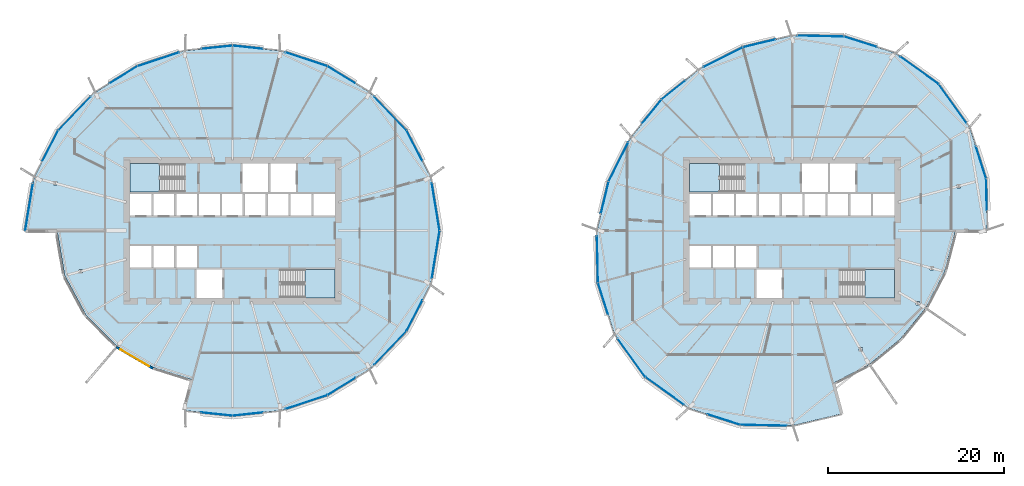
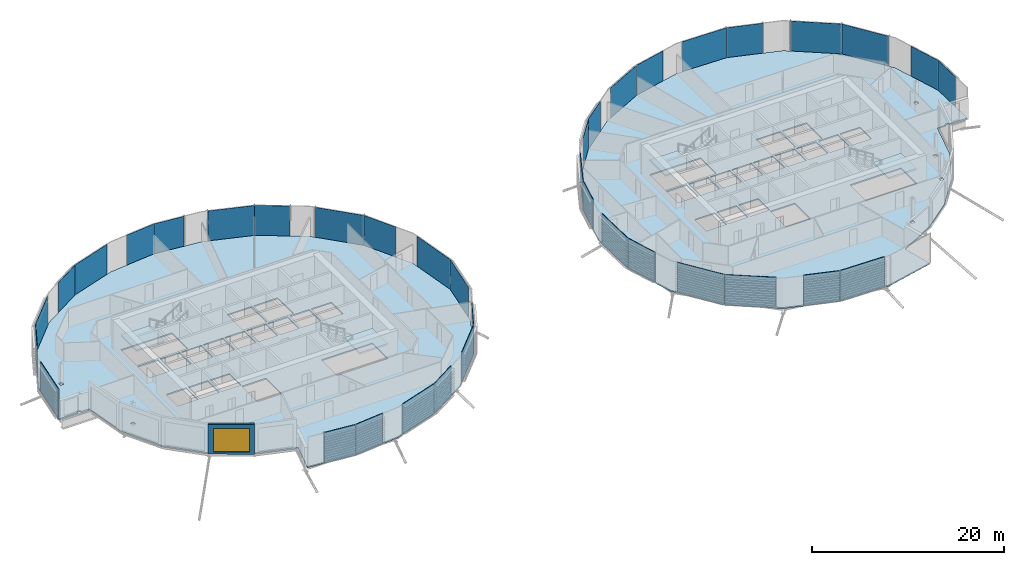
# One storey, part 19 of 39: 37 plates, 6 slabs, 1 wall, 1 window, 1 opening, 6 elements without a shape of their own.
"""IFC4 building model written with IfcOpenShell, lengths in metres."""

from ifc_helpers import new_model, si_unit, direction, frame, frame_2d, origin, origin_2d, place, context, subcontext, project, spatial, polyline, rectangle, outline, extrude, material, layer, layer_set, type_object, element, fill, aggregate, save


model = new_model("IFC4")

# Units and contexts
model_context = context("Model", 3, precision=1e-05, world=origin(), true_north=direction((0.0, 1.0)))
body_context = subcontext(model_context, "Body", "Model", "MODEL_VIEW")
ifc_project = project(units=[si_unit("LENGTHUNIT", "METRE"), si_unit("AREAUNIT", "SQUARE_METRE"), si_unit("VOLUMEUNIT", "CUBIC_METRE"), si_unit("PLANEANGLEUNIT", "RADIAN"), si_unit("MASSUNIT", "GRAM", prefix="KILO")], contexts=[model_context])

# Site, building, storey
site_placement = place(None, origin())
site = spatial("IfcSite", under=ifc_project, at=site_placement, CompositionType="ELEMENT")
building_placement = place(site_placement, origin())
building = spatial("IfcBuilding", under=site, at=building_placement, Name="Rimbun Link Towers", CompositionType="ELEMENT")
storey_placement = place(building_placement, frame((0.0, 0.0, 96.800048828125)))
storey = spatial("IfcBuildingStorey", under=building, at=storey_placement, Name="L23", CompositionType="ELEMENT", Elevation=96.800048828125)

# Slabs
ifc_material_1 = material(Name="Concrete C35/45", Category="concrete")
ifc_layer_1 = layer(ifc_material_1, 0.159912109375)
ifc_layer_set_1 = layer_set([ifc_layer_1], Name="COMPOSITE FLOOR 160")
slab_type_1 = type_object("IfcSlabType", Name="COMPOSITE FLOOR 160", PredefinedType="FLOOR", material=ifc_layer_set_1)
slab_1_placement = place(storey_placement, frame((0.0, 0.0, -0.16015625)))
element("IfcSlab", 1, at=slab_1_placement, inside=storey, type_object=slab_type_1, Name="Floor slab T1 L23", PredefinedType="FLOOR", context=body_context, shape_type="SweptSolid", body=[
    extrude(outline(polyline([(-55.244384765625, 0.0), (-54.252685546875, 6.029541015625), (-51.47900390625, 11.390380859375), (-47.397705078125, 15.647705078125), (-42.514892578125, 18.6455078125), (-37.216552734375, 20.4013671875), (-31.75, 20.97705078125), (-26.283447265625, 20.4013671875), (-20.985107421875, 18.6455078125), (-16.102294921875, 15.647705078125), (-12.02099609375, 11.390380859375), (-9.247314453125, 6.029541015625), (-8.255615234375, 0.0), (-9.247314453125, -6.029541015625), (-12.02099609375, -11.390380859375), (-16.102294921875, -15.647705078125), (-20.985107421875, -18.6455078125), (-26.283447265625, -20.4013671875), (-31.75, -20.97705078125), (-37.216552734375, -20.4013671875), (-36.284912109375, -16.924072265625), (-40.715087890625, -15.52783203125), (-44.85205078125, -13.10205078125), (-48.361083984375, -9.590576171875), (-50.775390625, -5.097900390625), (-51.644287109375, 0.0), (-52.5751953125, 0.0), (-52.5751953125, 0.19677734375), (-52.974365234375, 0.19677734375), (-52.974365234375, 0.0), (-55.244384765625, 0.0)]), holes=[polyline([(-48.775390625, -4.812255859375), (-48.775390625, -4.418701171875), (-49.17431640625, -4.418701171875), (-49.17431640625, -4.812255859375), (-48.775390625, -4.812255859375)]), polyline([(-40.95556640625, -4.14990234375), (-40.95556640625, -1.75), (-43.375, -1.75), (-43.375, -4.14990234375), (-40.95556640625, -4.14990234375)]), polyline([(-38.361083984375, -4.14990234375), (-38.361083984375, -1.75), (-40.70556640625, -1.75), (-40.70556640625, -4.14990234375), (-38.361083984375, -4.14990234375)]), polyline([(-38.111083984375, -4.14990234375), (-35.7666015625, -4.14990234375), (-35.7666015625, -1.75), (-38.111083984375, -1.75), (-38.111083984375, -4.14990234375)]), polyline([(-40.95556640625, 1.75), (-40.95556640625, 4.14990234375), (-43.375, 4.14990234375), (-43.375, 1.75), (-40.95556640625, 1.75)]), polyline([(-38.361083984375, 1.75), (-38.361083984375, 4.14990234375), (-40.70556640625, 4.14990234375), (-40.70556640625, 1.75), (-38.361083984375, 1.75)]), polyline([(-35.7666015625, 1.75), (-35.7666015625, 4.14990234375), (-38.111083984375, 4.14990234375), (-38.111083984375, 1.75), (-35.7666015625, 1.75)]), polyline([(-52.065185546875, 5.193115234375), (-51.666259765625, 5.193115234375), (-51.666259765625, 5.5869140625), (-52.065185546875, 5.5869140625), (-52.065185546875, 5.193115234375)]), polyline([(-43.375, 4.39990234375), (-37.260009765625, 4.39990234375), (-37.260009765625, 7.625), (-43.375, 7.625), (-43.375, 4.39990234375)]), polyline([(-32.89990234375, -7.625), (-32.89990234375, -4.39990234375), (-35.800048828125, -4.39990234375), (-35.800048828125, -7.625), (-32.89990234375, -7.625)]), polyline([(-20.125, -7.625), (-20.125, -4.39990234375), (-26.239990234375, -4.39990234375), (-26.239990234375, -7.625), (-20.125, -7.625)]), polyline([(-33.172119140625, 1.75), (-33.172119140625, 4.14990234375), (-35.5166015625, 4.14990234375), (-35.5166015625, 1.75), (-33.172119140625, 1.75)]), polyline([(-32.922119140625, 1.75), (-30.577880859375, 1.75), (-30.577880859375, 4.14990234375), (-32.922119140625, 4.14990234375), (-32.922119140625, 1.75)]), polyline([(-30.327880859375, 1.75), (-27.9833984375, 1.75), (-27.9833984375, 4.14990234375), (-30.327880859375, 4.14990234375), (-30.327880859375, 1.75)]), polyline([(-25.388916015625, 1.75), (-25.388916015625, 4.14990234375), (-27.7333984375, 4.14990234375), (-27.7333984375, 1.75), (-25.388916015625, 1.75)]), polyline([(-22.79443359375, 1.75), (-22.79443359375, 4.14990234375), (-25.138916015625, 4.14990234375), (-25.138916015625, 1.75), (-22.79443359375, 1.75)]), polyline([(-20.125, 1.75), (-20.125, 4.14990234375), (-22.54443359375, 4.14990234375), (-22.54443359375, 1.75), (-20.125, 1.75)]), polyline([(-30.60009765625, 4.39990234375), (-27.699951171875, 4.39990234375), (-27.699951171875, 7.625), (-30.60009765625, 7.625), (-30.60009765625, 4.39990234375)]), polyline([(-27.449951171875, 4.39990234375), (-24.550048828125, 4.39990234375), (-24.550048828125, 7.625), (-27.449951171875, 7.625), (-27.449951171875, 4.39990234375)])]), origin(), (0.0, 0.0, 1.0), 0.16015625),
])
slab_2_placement = place(storey_placement, frame((0.0, 0.0, -0.16015625)))
element("IfcSlab", 2, at=slab_2_placement, inside=storey, type_object=slab_type_1, Name="Floor slab T2 L23", PredefinedType="FLOOR", context=body_context, shape_type="SweptSolid", body=[
    extrude(outline(polyline([(50.279052734375, 0.0), (49.069091796875, -4.640625), (46.923583984375, -8.760498046875), (44.037353515625, -12.287353515625), (40.510498046875, -15.173583984375), (36.390625, -17.319091796875), (37.322509765625, -20.79638671875), (31.75, -22.12890625), (25.853759765625, -22.0048828125), (20.101806640625, -20.175537109375), (15.136962890625, -16.613037109375), (11.574462890625, -11.648193359375), (9.7451171875, -5.896240234375), (9.62109375, 0.0), (10.95361328125, 5.572509765625), (13.458740234375, 10.560546875), (16.9169921875, 14.8330078125), (21.189453125, 18.291259765625), (26.177490234375, 20.79638671875), (31.75, 22.12890625), (37.646240234375, 22.0048828125), (43.398193359375, 20.175537109375), (48.363037109375, 16.613037109375), (51.925537109375, 11.648193359375), (53.7548828125, 5.896240234375), (53.87890625, 0.0), (51.707275390625, 0.0), (51.707275390625, 0.19677734375), (51.308349609375, 0.19677734375), (51.308349609375, 0.0), (50.279052734375, 0.0)]), holes=[polyline([(30.60009765625, -7.625), (30.60009765625, -4.39990234375), (27.699951171875, -4.39990234375), (27.699951171875, -7.625), (30.60009765625, -7.625)]), polyline([(22.54443359375, -4.14990234375), (22.54443359375, -1.75), (20.125, -1.75), (20.125, -4.14990234375), (22.54443359375, -4.14990234375)]), polyline([(25.138916015625, -4.14990234375), (25.138916015625, -1.75), (22.79443359375, -1.75), (22.79443359375, -4.14990234375), (25.138916015625, -4.14990234375)]), polyline([(25.388916015625, -4.14990234375), (27.7333984375, -4.14990234375), (27.7333984375, -1.75), (25.388916015625, -1.75), (25.388916015625, -4.14990234375)]), polyline([(20.125, 1.75), (22.54443359375, 1.75), (22.54443359375, 4.14990234375), (20.125, 4.14990234375), (20.125, 1.75)]), polyline([(25.138916015625, 1.75), (25.138916015625, 4.14990234375), (22.79443359375, 4.14990234375), (22.79443359375, 1.75), (25.138916015625, 1.75)]), polyline([(25.388916015625, 1.75), (27.7333984375, 1.75), (27.7333984375, 4.14990234375), (25.388916015625, 4.14990234375), (25.388916015625, 1.75)]), polyline([(27.9833984375, 1.75), (30.327880859375, 1.75), (30.327880859375, 4.14990234375), (27.9833984375, 4.14990234375), (27.9833984375, 1.75)]), polyline([(32.922119140625, 1.75), (32.922119140625, 4.14990234375), (30.577880859375, 4.14990234375), (30.577880859375, 1.75), (32.922119140625, 1.75)]), polyline([(33.172119140625, 1.75), (35.5166015625, 1.75), (35.5166015625, 4.14990234375), (33.172119140625, 4.14990234375), (33.172119140625, 1.75)]), polyline([(20.125, 4.39990234375), (26.239990234375, 4.39990234375), (26.239990234375, 7.625), (20.125, 7.625), (20.125, 4.39990234375)]), polyline([(39.717041015625, -13.650390625), (39.717041015625, -13.2568359375), (39.318115234375, -13.2568359375), (39.318115234375, -13.650390625), (39.717041015625, -13.650390625)]), polyline([(46.200439453125, -8.424560546875), (46.200439453125, -8.031005859375), (45.801513671875, -8.031005859375), (45.801513671875, -8.424560546875), (46.200439453125, -8.424560546875)]), polyline([(43.375, -7.625), (43.375, -4.39990234375), (37.260009765625, -4.39990234375), (37.260009765625, -7.625), (43.375, -7.625)]), polyline([(47.410400390625, -4.446533203125), (47.8095703125, -4.446533203125), (47.8095703125, -4.052978515625), (47.410400390625, -4.052978515625), (47.410400390625, -4.446533203125)]), polyline([(38.111083984375, 1.75), (38.111083984375, 4.14990234375), (35.7666015625, 4.14990234375), (35.7666015625, 1.75), (38.111083984375, 1.75)]), polyline([(38.361083984375, 1.75), (40.70556640625, 1.75), (40.70556640625, 4.14990234375), (38.361083984375, 4.14990234375), (38.361083984375, 1.75)]), polyline([(40.95556640625, 1.75), (43.375, 1.75), (43.375, 4.14990234375), (40.95556640625, 4.14990234375), (40.95556640625, 1.75)]), polyline([(50.85302734375, 4.868408203125), (50.85302734375, 5.261962890625), (50.4541015625, 5.261962890625), (50.4541015625, 4.868408203125), (50.85302734375, 4.868408203125)]), polyline([(32.89990234375, 4.39990234375), (35.800048828125, 4.39990234375), (35.800048828125, 7.625), (32.89990234375, 7.625), (32.89990234375, 4.39990234375)]), polyline([(36.050048828125, 4.39990234375), (38.949951171875, 4.39990234375), (38.949951171875, 7.625), (36.050048828125, 7.625), (36.050048828125, 4.39990234375)])]), origin(), (0.0, 0.0, 1.0), 0.16015625),
])

# Curtain wall, plates
ifc_material_2 = material(Name="Aluminium 6063-T6 and low-iron glass", Category="aluminium")
curtain_wall_type = type_object("IfcCurtainWallType", Name="CW1-Z2 unitised vision wall (zone 2)", PredefinedType="NOTDEFINED", material=ifc_material_2)
curtain_wall_1_placement = place(storey_placement, origin())
curtain_wall_1 = element("IfcCurtainWall", 3, at=curtain_wall_1_placement, inside=storey, type_object=curtain_wall_type, Name="CW1 L23 T1", PredefinedType="NOTDEFINED")
ifc_material_3 = material(Name="Low-iron glass, laminated low-e unit", Category="glass")
ifc_layer_2 = layer(ifc_material_3, 0.028076171875)
ifc_layer_set_2 = layer_set([ifc_layer_2], Name="CW1 panel Low-iron glass 28")
plate_type = type_object("IfcPlateType", Name="CW1 panel Low-iron glass 28", PredefinedType="CURTAIN_PANEL", material=ifc_layer_set_2)
plate_1_placement = place(storey_placement, frame((-8.684814453125, 2.6962890625, 0.0), z_axis=(0.0, 0.0, 1.0), x_axis=(0.162259642251, -0.986748097792, 0.0)))
plate_1 = element("IfcPlate", 4, at=plate_1_placement, type_object=plate_type, Name="CW1 panel", PredefinedType="CURTAIN_PANEL", context=body_context, shape_type="SweptSolid", body=[
    extrude(rectangle(XDim=5.420654296875, YDim=0.028076171875, at=origin_2d()), origin(), (0.0, 0.0, 1.0), 3.800048828125),
])
plate_2_placement = place(storey_placement, frame((-11.104248046875, 9.64892578125, 0.0), z_axis=(0.0, 0.0, 1.0), x_axis=(0.45955632125, -0.888148629228, 0.0)))
plate_2 = element("IfcPlate", 5, at=plate_2_placement, type_object=plate_type, Name="CW1 panel", PredefinedType="CURTAIN_PANEL", context=body_context, shape_type="SweptSolid", body=[
    extrude(rectangle(XDim=3.89599609375, YDim=0.028076171875, at=origin_2d()), origin(), (0.0, 0.0, 1.0), 3.800048828125),
])
plate_3_placement = place(storey_placement, frame((-13.843994140625, 13.312255859375, 0.0), z_axis=(0.0, 0.0, 1.0), x_axis=(0.692044930546, -0.721854427226, 0.0)))
plate_3 = element("IfcPlate", 6, at=plate_3_placement, type_object=plate_type, Name="CW1 panel", PredefinedType="CURTAIN_PANEL", context=body_context, shape_type="SweptSolid", body=[
    extrude(rectangle(XDim=5.257568359375, YDim=0.028076171875, at=origin_2d()), origin(), (0.0, 0.0, 1.0), 3.800048828125),
])
plate_4_placement = place(storey_placement, frame((-19.388671875, 17.681640625, 0.0), z_axis=(0.0, 0.0, 1.0), x_axis=(0.852185835011, -0.523239240316, 0.0)))
plate_4 = element("IfcPlate", 7, at=plate_4_placement, type_object=plate_type, Name="CW1 panel", PredefinedType="CURTAIN_PANEL", context=body_context, shape_type="SweptSolid", body=[
    extrude(rectangle(XDim=3.689453125, YDim=0.028076171875, at=origin_2d()), origin(), (0.0, 0.0, 1.0), 3.800048828125),
])
plate_5_placement = place(storey_placement, frame((-23.344970703125, 19.4423828125, 0.0), z_axis=(0.0, 0.0, 1.0), x_axis=(0.949238989505, -0.314555783293, 0.0)))
plate_5 = element("IfcPlate", 8, at=plate_5_placement, type_object=plate_type, Name="CW1 panel", PredefinedType="CURTAIN_PANEL", context=body_context, shape_type="SweptSolid", body=[
    extrude(rectangle(XDim=4.94189453125, YDim=0.028076171875, at=origin_2d()), origin(), (0.0, 0.0, 1.0), 3.800048828125),
])
plate_6_placement = place(storey_placement, frame((-30.009765625, 20.807861328125, 0.0), z_axis=(0.0, 0.0, 1.0), x_axis=(0.994500168315, -0.104734976112, 0.0)))
plate_6 = element("IfcPlate", 9, at=plate_6_placement, type_object=plate_type, Name="CW1 panel", PredefinedType="CURTAIN_PANEL", context=body_context, shape_type="SweptSolid", body=[
    extrude(rectangle(XDim=3.456787109375, YDim=0.028076171875, at=origin_2d()), origin(), (0.0, 0.0, 1.0), 3.800048828125),
])
plate_7_placement = place(storey_placement, frame((-33.490234375, 20.807861328125, 0.0), z_axis=(0.0, 0.0, 1.0), x_axis=(0.994500168315, 0.104734976112, 0.0)))
plate_7 = element("IfcPlate", 10, at=plate_7_placement, type_object=plate_type, Name="CW1 panel", PredefinedType="CURTAIN_PANEL", context=body_context, shape_type="SweptSolid", body=[
    extrude(rectangle(XDim=3.456787109375, YDim=0.028076171875, at=origin_2d()), origin(), (0.0, 0.0, 1.0), 3.800048828125),
])
plate_8_placement = place(storey_placement, frame((-40.155029296875, 19.4423828125, 0.0), z_axis=(0.0, 0.0, 1.0), x_axis=(0.949238989505, 0.314555783293, 0.0)))
plate_8 = element("IfcPlate", 11, at=plate_8_placement, type_object=plate_type, Name="CW1 panel", PredefinedType="CURTAIN_PANEL", context=body_context, shape_type="SweptSolid", body=[
    extrude(rectangle(XDim=4.94189453125, YDim=0.028076171875, at=origin_2d()), origin(), (0.0, 0.0, 1.0), 3.800048828125),
])
plate_9_placement = place(storey_placement, frame((-44.111328125, 17.681640625, 0.0), z_axis=(0.0, 0.0, 1.0), x_axis=(0.852185835011, 0.523239240316, 0.0)))
plate_9 = element("IfcPlate", 12, at=plate_9_placement, type_object=plate_type, Name="CW1 panel", PredefinedType="CURTAIN_PANEL", context=body_context, shape_type="SweptSolid", body=[
    extrude(rectangle(XDim=3.689453125, YDim=0.028076171875, at=origin_2d()), origin(), (0.0, 0.0, 1.0), 3.800048828125),
])
plate_10_placement = place(storey_placement, frame((-49.656005859375, 13.312255859375, 0.0), z_axis=(0.0, 0.0, 1.0), x_axis=(0.692044930546, 0.721854427226, 0.0)))
plate_10 = element("IfcPlate", 13, at=plate_10_placement, type_object=plate_type, Name="CW1 panel", PredefinedType="CURTAIN_PANEL", context=body_context, shape_type="SweptSolid", body=[
    extrude(rectangle(XDim=5.257568359375, YDim=0.028076171875, at=origin_2d()), origin(), (0.0, 0.0, 1.0), 3.800048828125),
])
plate_11_placement = place(storey_placement, frame((-52.4072265625, 9.626953125, 0.0), z_axis=(0.0, 0.0, 1.0), x_axis=(0.45955632125, 0.888148629228, 0.0)))
plate_11 = element("IfcPlate", 14, at=plate_11_placement, type_object=plate_type, Name="CW1 panel", PredefinedType="CURTAIN_PANEL", context=body_context, shape_type="SweptSolid", body=[
    extrude(rectangle(XDim=3.946044921875, YDim=0.028076171875, at=origin_2d()), origin(), (0.0, 0.0, 1.0), 3.800048828125),
])
plate_12_placement = place(storey_placement, frame((-54.819091796875, 2.671630859375, 0.0), z_axis=(0.0, 0.0, 1.0), x_axis=(0.162259642251, 0.986748097792, 0.0)))
plate_12 = element("IfcPlate", 15, at=plate_12_placement, type_object=plate_type, Name="CW1 panel", PredefinedType="CURTAIN_PANEL", context=body_context, shape_type="SweptSolid", body=[
    extrude(rectangle(XDim=5.37060546875, YDim=0.028076171875, at=origin_2d()), origin(), (0.0, 0.0, 1.0), 3.800048828125),
])
plate_13_placement = place(storey_placement, frame((-33.5400390625, -20.802490234375, 0.0), z_axis=(0.0, 0.0, 1.0), x_axis=(-0.994500168315, 0.104734976112, 0.0)))
plate_13 = element("IfcPlate", 16, at=plate_13_placement, type_object=plate_type, Name="CW1 panel", PredefinedType="CURTAIN_PANEL", context=body_context, shape_type="SweptSolid", body=[
    extrude(rectangle(XDim=3.556640625, YDim=0.028076171875, at=origin_2d()), origin(), (0.0, 0.0, 1.0), 3.800048828125),
])
plate_14_placement = place(storey_placement, frame((-30.009765625, -20.807861328125, 0.0), z_axis=(0.0, 0.0, 1.0), x_axis=(-0.994500168315, -0.104734976112, 0.0)))
plate_14 = element("IfcPlate", 17, at=plate_14_placement, type_object=plate_type, Name="CW1 panel", PredefinedType="CURTAIN_PANEL", context=body_context, shape_type="SweptSolid", body=[
    extrude(rectangle(XDim=3.456787109375, YDim=0.028076171875, at=origin_2d()), origin(), (0.0, 0.0, 1.0), 3.800048828125),
])
plate_15_placement = place(storey_placement, frame((-23.344970703125, -19.4423828125, 0.0), z_axis=(0.0, 0.0, 1.0), x_axis=(-0.949238989505, -0.314555783293, 0.0)))
plate_15 = element("IfcPlate", 18, at=plate_15_placement, type_object=plate_type, Name="CW1 panel", PredefinedType="CURTAIN_PANEL", context=body_context, shape_type="SweptSolid", body=[
    extrude(rectangle(XDim=4.94189453125, YDim=0.028076171875, at=origin_2d()), origin(), (0.0, 0.0, 1.0), 3.800048828125),
])
plate_16_placement = place(storey_placement, frame((-19.388671875, -17.681640625, 0.0), z_axis=(0.0, 0.0, 1.0), x_axis=(-0.852185835011, -0.523239240316, 0.0)))
plate_16 = element("IfcPlate", 19, at=plate_16_placement, type_object=plate_type, Name="CW1 panel", PredefinedType="CURTAIN_PANEL", context=body_context, shape_type="SweptSolid", body=[
    extrude(rectangle(XDim=3.689453125, YDim=0.028076171875, at=origin_2d()), origin(), (0.0, 0.0, 1.0), 3.800048828125),
])
plate_17_placement = place(storey_placement, frame((-13.843994140625, -13.312255859375, 0.0), z_axis=(0.0, 0.0, 1.0), x_axis=(-0.692044930546, -0.721854427226, 0.0)))
plate_17 = element("IfcPlate", 20, at=plate_17_placement, type_object=plate_type, Name="CW1 panel", PredefinedType="CURTAIN_PANEL", context=body_context, shape_type="SweptSolid", body=[
    extrude(rectangle(XDim=5.257568359375, YDim=0.028076171875, at=origin_2d()), origin(), (0.0, 0.0, 1.0), 3.800048828125),
])
plate_18_placement = place(storey_placement, frame((-11.104248046875, -9.64892578125, 0.0), z_axis=(0.0, 0.0, 1.0), x_axis=(-0.45955632125, -0.888148629228, 0.0)))
plate_18 = element("IfcPlate", 21, at=plate_18_placement, type_object=plate_type, Name="CW1 panel", PredefinedType="CURTAIN_PANEL", context=body_context, shape_type="SweptSolid", body=[
    extrude(rectangle(XDim=3.89599609375, YDim=0.028076171875, at=origin_2d()), origin(), (0.0, 0.0, 1.0), 3.800048828125),
])
plate_19_placement = place(storey_placement, frame((-8.684814453125, -2.6962890625, 0.0), z_axis=(0.0, 0.0, 1.0), x_axis=(-0.162259642251, -0.986748097792, 0.0)))
plate_19 = element("IfcPlate", 22, at=plate_19_placement, type_object=plate_type, Name="CW1 panel", PredefinedType="CURTAIN_PANEL", context=body_context, shape_type="SweptSolid", body=[
    extrude(rectangle(XDim=5.420654296875, YDim=0.028076171875, at=origin_2d()), origin(), (0.0, 0.0, 1.0), 3.800048828125),
])
aggregate(curtain_wall_1, [plate_1, plate_2, plate_3, plate_4, plate_5, plate_6, plate_7, plate_8, plate_9, plate_10, plate_11, plate_12, plate_13, plate_14, plate_15, plate_16, plate_17, plate_18, plate_19])

curtain_wall_2_placement = place(storey_placement, origin())
curtain_wall_2 = element("IfcCurtainWall", 23, at=curtain_wall_2_placement, inside=storey, type_object=curtain_wall_type, Name="CW1 L23 T2", PredefinedType="NOTDEFINED")
plate_20_placement = place(storey_placement, frame((46.193603515625, 18.18701171875, 0.0), z_axis=(0.0, 0.0, 1.0), x_axis=(0.812471013588, -0.583001588402, 0.0)))
plate_20 = element("IfcPlate", 24, at=plate_20_placement, type_object=plate_type, Name="CW1 panel", PredefinedType="CURTAIN_PANEL", context=body_context, shape_type="SweptSolid", body=[
    extrude(rectangle(XDim=5.320556640625, YDim=0.028076171875, at=origin_2d()), origin(), (0.0, 0.0, 1.0), 3.800048828125),
])
plate_21_placement = place(storey_placement, frame((39.501953125, 21.42919921875, 0.0), z_axis=(0.0, 0.0, 1.0), x_axis=(0.952969504125, -0.30306620433, 0.0)))
plate_21 = element("IfcPlate", 25, at=plate_21_placement, type_object=plate_type, Name="CW1 panel", PredefinedType="CURTAIN_PANEL", context=body_context, shape_type="SweptSolid", body=[
    extrude(rectangle(XDim=3.845947265625, YDim=0.028076171875, at=origin_2d()), origin(), (0.0, 0.0, 1.0), 3.800048828125),
])
plate_22_placement = place(storey_placement, frame((34.998291015625, 22.074462890625, 0.0), z_axis=(0.0, 0.0, 1.0), x_axis=(0.999778219026, -0.021059742681, 0.0)))
plate_22 = element("IfcPlate", 26, at=plate_22_placement, type_object=plate_type, Name="CW1 panel", PredefinedType="CURTAIN_PANEL", context=body_context, shape_type="SweptSolid", body=[
    extrude(rectangle(XDim=5.257568359375, YDim=0.028076171875, at=origin_2d()), origin(), (0.0, 0.0, 1.0), 3.800048828125),
])
plate_23_placement = place(storey_placement, frame((28.01220703125, 21.24951171875, 0.0), z_axis=(0.0, 0.0, 1.0), x_axis=(0.972572197016, 0.232601207201, 0.0)))
plate_23 = element("IfcPlate", 27, at=plate_23_placement, type_object=plate_type, Name="CW1 panel", PredefinedType="CURTAIN_PANEL", context=body_context, shape_type="SweptSolid", body=[
    extrude(rectangle(XDim=3.739501953125, YDim=0.028076171875, at=origin_2d()), origin(), (0.0, 0.0, 1.0), 3.800048828125),
])
plate_24_placement = place(storey_placement, frame((23.9453125, 19.69091796875, 0.0), z_axis=(0.0, 0.0, 1.0), x_axis=(0.893641116942, 0.448782301468, 0.0)))
plate_24 = element("IfcPlate", 28, at=plate_24_placement, type_object=plate_type, Name="CW1 panel", PredefinedType="CURTAIN_PANEL", context=body_context, shape_type="SweptSolid", body=[
    extrude(rectangle(XDim=4.941650390625, YDim=0.028076171875, at=origin_2d()), origin(), (0.0, 0.0, 1.0), 3.800048828125),
])
plate_25_placement = place(storey_placement, frame((18.26708984375, 15.94384765625, 0.0), z_axis=(0.0, 0.0, 1.0), x_axis=(0.777279609946, 0.629155313069, 0.0)))
plate_25 = element("IfcPlate", 29, at=plate_25_placement, type_object=plate_type, Name="CW1 panel", PredefinedType="CURTAIN_PANEL", context=body_context, shape_type="SweptSolid", body=[
    extrude(rectangle(XDim=3.456787109375, YDim=0.028076171875, at=origin_2d()), origin(), (0.0, 0.0, 1.0), 3.800048828125),
])
plate_26_placement = place(storey_placement, frame((15.82177734375, 13.502197265625, 0.0), z_axis=(0.0, 0.0, 1.0), x_axis=(0.629155313069, 0.777279609946, 0.0)))
plate_26 = element("IfcPlate", 30, at=plate_26_placement, type_object=plate_type, Name="CW1 panel", PredefinedType="CURTAIN_PANEL", context=body_context, shape_type="SweptSolid", body=[
    extrude(rectangle(XDim=3.40673828125, YDim=0.028076171875, at=origin_2d()), origin(), (0.0, 0.0, 1.0), 3.800048828125),
])
plate_27_placement = place(storey_placement, frame((12.05908203125, 7.8046875, 0.0), z_axis=(0.0, 0.0, 1.0), x_axis=(0.448782301468, 0.893641116942, 0.0)))
plate_27 = element("IfcPlate", 31, at=plate_27_placement, type_object=plate_type, Name="CW1 panel", PredefinedType="CURTAIN_PANEL", context=body_context, shape_type="SweptSolid", body=[
    extrude(rectangle(XDim=4.941650390625, YDim=0.028076171875, at=origin_2d()), origin(), (0.0, 0.0, 1.0), 3.800048828125),
])
plate_28_placement = place(storey_placement, frame((10.50634765625, 3.761962890625, 0.0), z_axis=(0.0, 0.0, 1.0), x_axis=(0.232601207201, 0.972572197016, 0.0)))
plate_28 = element("IfcPlate", 32, at=plate_28_placement, type_object=plate_type, Name="CW1 panel", PredefinedType="CURTAIN_PANEL", context=body_context, shape_type="SweptSolid", body=[
    extrude(rectangle(XDim=3.689453125, YDim=0.028076171875, at=origin_2d()), origin(), (0.0, 0.0, 1.0), 3.800048828125),
])
plate_29_placement = place(storey_placement, frame((9.675537109375, -3.248291015625, 0.0), z_axis=(0.0, 0.0, 1.0), x_axis=(-0.021059742681, 0.999778219026, 0.0)))
plate_29 = element("IfcPlate", 33, at=plate_29_placement, type_object=plate_type, Name="CW1 panel", PredefinedType="CURTAIN_PANEL", context=body_context, shape_type="SweptSolid", body=[
    extrude(rectangle(XDim=5.257568359375, YDim=0.028076171875, at=origin_2d()), origin(), (0.0, 0.0, 1.0), 3.800048828125),
])
plate_30_placement = place(storey_placement, frame((10.313232421875, -7.728271484375, 0.0), z_axis=(0.0, 0.0, 1.0), x_axis=(-0.30306620433, 0.952969504125, 0.0)))
plate_30 = element("IfcPlate", 34, at=plate_30_placement, type_object=plate_type, Name="CW1 panel", PredefinedType="CURTAIN_PANEL", context=body_context, shape_type="SweptSolid", body=[
    extrude(rectangle(XDim=3.7958984375, YDim=0.028076171875, at=origin_2d()), origin(), (0.0, 0.0, 1.0), 3.800048828125),
])
plate_31_placement = place(storey_placement, frame((13.54833984375, -14.423095703125, 0.0), z_axis=(0.0, 0.0, 1.0), x_axis=(-0.583001588402, 0.812471013588, 0.0)))
plate_31 = element("IfcPlate", 35, at=plate_31_placement, type_object=plate_type, Name="CW1 panel", PredefinedType="CURTAIN_PANEL", context=body_context, shape_type="SweptSolid", body=[
    extrude(rectangle(XDim=5.37060546875, YDim=0.028076171875, at=origin_2d()), origin(), (0.0, 0.0, 1.0), 3.800048828125),
])
plate_32_placement = place(storey_placement, frame((17.306396484375, -18.18701171875, 0.0), z_axis=(0.0, 0.0, 1.0), x_axis=(-0.812471013588, 0.583001588402, 0.0)))
plate_32 = element("IfcPlate", 36, at=plate_32_placement, type_object=plate_type, Name="CW1 panel", PredefinedType="CURTAIN_PANEL", context=body_context, shape_type="SweptSolid", body=[
    extrude(rectangle(XDim=5.320556640625, YDim=0.028076171875, at=origin_2d()), origin(), (0.0, 0.0, 1.0), 3.800048828125),
])
plate_33_placement = place(storey_placement, frame((23.998046875, -21.42919921875, 0.0), z_axis=(0.0, 0.0, 1.0), x_axis=(-0.952969504125, 0.30306620433, 0.0)))
plate_33 = element("IfcPlate", 37, at=plate_33_placement, type_object=plate_type, Name="CW1 panel", PredefinedType="CURTAIN_PANEL", context=body_context, shape_type="SweptSolid", body=[
    extrude(rectangle(XDim=3.845947265625, YDim=0.028076171875, at=origin_2d()), origin(), (0.0, 0.0, 1.0), 3.800048828125),
])
plate_34_placement = place(storey_placement, frame((28.501708984375, -22.074462890625, 0.0), z_axis=(0.0, 0.0, 1.0), x_axis=(-0.999778219026, 0.021059742681, 0.0)))
plate_34 = element("IfcPlate", 38, at=plate_34_placement, type_object=plate_type, Name="CW1 panel", PredefinedType="CURTAIN_PANEL", context=body_context, shape_type="SweptSolid", body=[
    extrude(rectangle(XDim=5.257568359375, YDim=0.028076171875, at=origin_2d()), origin(), (0.0, 0.0, 1.0), 3.800048828125),
])
plate_35_placement = place(storey_placement, frame((53.806640625, 4.09814453125, 0.0), z_axis=(0.0, 0.0, 1.0), x_axis=(0.021059742681, -0.999778219026, 0.0)))
plate_35 = element("IfcPlate", 39, at=plate_35_placement, type_object=plate_type, Name="CW1 panel", PredefinedType="CURTAIN_PANEL", context=body_context, shape_type="SweptSolid", body=[
    extrude(rectangle(XDim=3.5576171875, YDim=0.028076171875, at=origin_2d()), origin(), (0.0, 0.0, 1.0), 3.800048828125),
])
plate_36_placement = place(storey_placement, frame((53.186767578125, 7.728271484375, 0.0), z_axis=(0.0, 0.0, 1.0), x_axis=(0.30306620433, -0.952969504125, 0.0)))
plate_36 = element("IfcPlate", 40, at=plate_36_placement, type_object=plate_type, Name="CW1 panel", PredefinedType="CURTAIN_PANEL", context=body_context, shape_type="SweptSolid", body=[
    extrude(rectangle(XDim=3.7958984375, YDim=0.028076171875, at=origin_2d()), origin(), (0.0, 0.0, 1.0), 3.800048828125),
])
plate_37_placement = place(storey_placement, frame((49.95166015625, 14.423095703125, 0.0), z_axis=(0.0, 0.0, 1.0), x_axis=(0.583001588402, -0.812471013588, 0.0)))
plate_37 = element("IfcPlate", 41, at=plate_37_placement, type_object=plate_type, Name="CW1 panel", PredefinedType="CURTAIN_PANEL", context=body_context, shape_type="SweptSolid", body=[
    extrude(rectangle(XDim=5.37060546875, YDim=0.028076171875, at=origin_2d()), origin(), (0.0, 0.0, 1.0), 3.800048828125),
])
aggregate(curtain_wall_2, [plate_20, plate_21, plate_22, plate_23, plate_24, plate_25, plate_26, plate_27, plate_28, plate_29, plate_30, plate_31, plate_32, plate_33, plate_34, plate_35, plate_36, plate_37])

# Stair, slab
ifc_material_4 = material(Name="Concrete C40/50", Category="concrete")
stair_type = type_object("IfcStairType", Name="Exit stair 3800 rise", PredefinedType="HALF_TURN_STAIR", material=ifc_material_4)
stair_1_placement = place(storey_placement, origin())
stair_1 = element("IfcStair", 42, at=stair_1_placement, inside=storey, type_object=stair_type, Name="L23 EXIT STAIR A", PredefinedType="HALF_TURN_STAIR")
ifc_material_5 = material(Name="Concrete C40/50", Category="concrete")
ifc_layer_3 = layer(ifc_material_5, 0.199951171875)
ifc_layer_set_3 = layer_set([ifc_layer_3], Name="Stair landing")
slab_type_2 = type_object("IfcSlabType", Name="Stair landing", PredefinedType="LANDING", material=ifc_layer_set_3)
slab_3_placement = place(storey_placement, frame((0.0, 0.0, 1.699951171875)))
slab_3 = element("IfcSlab", 43, at=slab_3_placement, type_object=slab_type_2, Name="ST1 landing 1", PredefinedType="LANDING", context=body_context, shape_type="SweptSolid", body=[
    extrude(outline(polyline([(-40.0, 7.625), (-43.375, 7.625), (-43.375, 4.39990234375), (-40.0, 4.39990234375), (-40.0, 7.625)])), origin(), (0.0, 0.0, 1.0), 0.199951171875),
])
aggregate(stair_1, [slab_3])

stair_2_placement = place(storey_placement, origin())
stair_2 = element("IfcStair", 44, at=stair_2_placement, inside=storey, type_object=stair_type, Name="L23 EXIT STAIR B", PredefinedType="HALF_TURN_STAIR")
slab_4_placement = place(storey_placement, frame((0.0, 0.0, 1.699951171875)))
slab_4 = element("IfcSlab", 45, at=slab_4_placement, type_object=slab_type_2, Name="ST2 landing 1", PredefinedType="LANDING", context=body_context, shape_type="SweptSolid", body=[
    extrude(outline(polyline([(-23.5, -7.625), (-20.125, -7.625), (-20.125, -4.39990234375), (-23.5, -4.39990234375), (-23.5, -7.625)])), origin(), (0.0, 0.0, 1.0), 0.199951171875),
])
aggregate(stair_2, [slab_4])

stair_3_placement = place(storey_placement, origin())
stair_3 = element("IfcStair", 46, at=stair_3_placement, inside=storey, type_object=stair_type, Name="L23 EXIT STAIR A", PredefinedType="HALF_TURN_STAIR")
slab_5_placement = place(storey_placement, frame((0.0, 0.0, 1.699951171875)))
slab_5 = element("IfcSlab", 47, at=slab_5_placement, type_object=slab_type_2, Name="ST3 landing 1", PredefinedType="LANDING", context=body_context, shape_type="SweptSolid", body=[
    extrude(outline(polyline([(23.5, 7.625), (20.125, 7.625), (20.125, 4.39990234375), (23.5, 4.39990234375), (23.5, 7.625)])), origin(), (0.0, 0.0, 1.0), 0.199951171875),
])
aggregate(stair_3, [slab_5])

stair_4_placement = place(storey_placement, origin())
stair_4 = element("IfcStair", 48, at=stair_4_placement, inside=storey, type_object=stair_type, Name="L23 EXIT STAIR B", PredefinedType="HALF_TURN_STAIR")
slab_6_placement = place(storey_placement, frame((0.0, 0.0, 1.699951171875)))
slab_6 = element("IfcSlab", 49, at=slab_6_placement, type_object=slab_type_2, Name="ST4 landing 1", PredefinedType="LANDING", context=body_context, shape_type="SweptSolid", body=[
    extrude(outline(polyline([(40.0, -7.625), (43.375, -7.625), (43.375, -4.39990234375), (40.0, -4.39990234375), (40.0, -7.625)])), origin(), (0.0, 0.0, 1.0), 0.199951171875),
])
aggregate(stair_4, [slab_6])

# Wall, opening, window
ifc_material_6 = material(Name="Dark enamelled glass spandrel on insulated aluminium backpan", Category="aluminium")
ifc_layer_4 = layer(ifc_material_6, 0.25)
ifc_layer_set_4 = layer_set([ifc_layer_4], Name="CS dark enamelled spandrel wall 250")
wall_type = type_object("IfcWallType", Name="CS dark enamelled spandrel wall 250", PredefinedType="STANDARD", material=ifc_layer_set_4)
wall_placement = place(storey_placement, frame((-40.76611328125, -15.642822265625, 0.0), z_axis=(0.0, 0.0, 1.0), x_axis=(-0.862618805527, 0.505854520935, 0.0)))
wall = element("IfcWall", 50, at=wall_placement, inside=storey, type_object=wall_type, Name="Crease spandrel wall", PredefinedType="STANDARD", context=body_context, shape_type="SweptSolid", body=[
    extrude(rectangle(XDim=4.825927734375, YDim=0.25, at=frame_2d((2.4130859375, 0.0))), origin(), (0.0, 0.0, 1.0), 3.800048828125),
])
opening_placement = place(wall_placement, frame((0.5283203125, 0.0, 0.300048828125)))
opening = element("IfcOpeningElement", 51, at=opening_placement, cuts=wall, Name="Opening WR38H295", PredefinedType="OPENING", context=body_context, shape_type="SweptSolid", body=[
    extrude(rectangle(XDim=3.75, YDim=2.949951171875, at=frame_2d((1.875, 1.47509765625))), frame((0.0, 0.135009765625, 0.0), z_axis=(0.0, -1.0, 0.0), x_axis=(1.0, 0.0, 0.0)), (0.0, 0.0, 1.0), 0.27001953125),
])
ifc_material_7 = material(Name="Aluminium framed fixed window, dark tinted low-e glass", Category="aluminium")
window_type = type_object("IfcWindowType", Name="WR ribbon window 3750X2950", PartitioningType="SINGLE_PANEL", PredefinedType="WINDOW", material=ifc_material_7)
window_placement = place(opening_placement, origin())
window = element("IfcWindow", 52, at=window_placement, inside=storey, type_object=window_type, Name="Crease ribbon window", OverallHeight=2.949951171875, OverallWidth=3.75, PartitioningType="SINGLE_PANEL", PredefinedType="WINDOW", context=body_context, shape_type="SweptSolid", body=[
    extrude(rectangle(XDim=3.75, YDim=2.949951171875, at=frame_2d((1.875, 1.47509765625))), frame((0.0, 0.030029296875, 0.0), z_axis=(0.0, -1.0, 0.0), x_axis=(1.0, 0.0, 0.0)), (0.0, 0.0, 1.0), 0.06005859375),
])
fill(opening, window)

save(model, "model.ifc")
